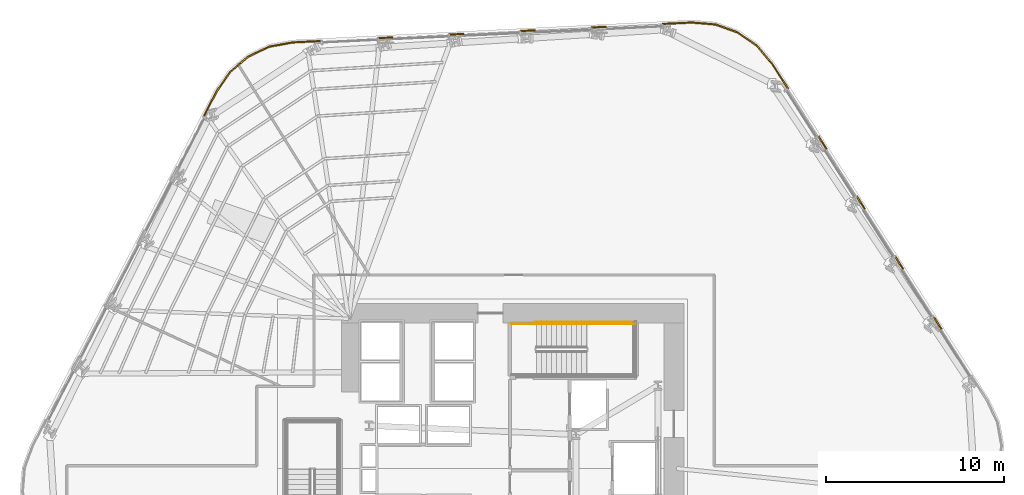
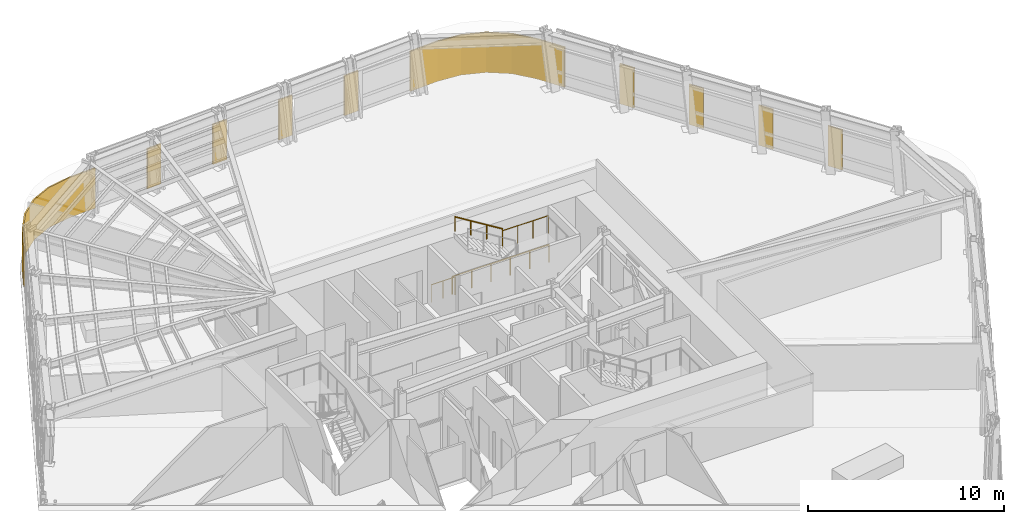
# One storey, part 14 of 15: 10 coverings, 4 railings.
"""IFC4 building model written with IfcOpenShell, lengths in metres."""

from ifc_helpers import new_model, si_unit, direction, frame, origin, origin_2d, place, context, subcontext, project, spatial, polyline, circle, outline, extrude, material, layer, layer_set, type_object, element, save


model = new_model("IFC4")

# Units and contexts
model_context = context("Model", 3, precision=1e-05, world=origin(), true_north=direction((0.0, 1.0)))
body_context = subcontext(model_context, "Body", "Model", "MODEL_VIEW")
ifc_project = project(units=[si_unit("LENGTHUNIT", "METRE"), si_unit("AREAUNIT", "SQUARE_METRE"), si_unit("VOLUMEUNIT", "CUBIC_METRE"), si_unit("PLANEANGLEUNIT", "RADIAN"), si_unit("MASSUNIT", "GRAM", prefix="KILO")], contexts=[model_context])

# Site, building, storey
site_placement = place(None, origin())
site = spatial("IfcSite", under=ifc_project, at=site_placement, CompositionType="ELEMENT")
building_placement = place(site_placement, origin())
building = spatial("IfcBuilding", under=site, at=building_placement, Name="Valkerne Bourse Tower", CompositionType="ELEMENT")
storey_placement = place(building_placement, frame((0.0, 0.0, 35.39990234375)))
storey = spatial("IfcBuildingStorey", under=building, at=storey_placement, Name="L08", CompositionType="ELEMENT", Elevation=35.39990234375)

# Coverings
ifc_material_1 = material(Name="Bronze Anodised Aluminium AA 6063-T6", Category="aluminium")
ifc_layer = layer(ifc_material_1, 0.06005859375)
ifc_layer_set = layer_set([ifc_layer], Name="Bronze Anodised Aluminium AA 6063-T6")
covering_type = type_object("IfcCoveringType", Name="COV-CRN-ALUM", PredefinedType="CLADDING", material=ifc_layer_set)
covering_1_placement = place(storey_placement, origin())
element("IfcCovering", 1, at=covering_1_placement, inside=storey, type_object=covering_type, Name="L08 Wind-Shaped Corner Aluminium Cladding 16", PredefinedType="CLADDING", context=body_context, shape_type="SweptSolid", body=[
    extrude(outline(polyline([(30.166015625, 48.17919921875), (30.929443359375, 49.27783203125), (31.9462890625, 50.13720703125), (33.150634765625, 50.703857421875), (34.467529296875, 50.940673828125), (36.08642578125, 51.021484375), (36.09033203125, 50.941650390625), (34.4765625, 50.861083984375), (33.17529296875, 50.626953125), (31.989990234375, 50.069091796875), (30.9892578125, 49.2236328125), (30.234619140625, 48.137939453125), (29.489501953125, 46.7041015625), (29.41845703125, 46.74072265625), (30.166015625, 48.17919921875)])), origin(), (0.0, 0.0, 1.0), 2.5),
])
covering_2_placement = place(storey_placement, origin())
element("IfcCovering", 2, at=covering_2_placement, inside=storey, type_object=covering_type, Name="L08 Wind-Shaped Corner Aluminium Cladding 17", PredefinedType="CLADDING", context=body_context, shape_type="SweptSolid", body=[
    extrude(outline(polyline([(40.07763671875, 51.220458984375), (40.081298828125, 51.140625), (39.242431640625, 51.098876953125), (39.238525390625, 51.1787109375), (40.07763671875, 51.220458984375)])), origin(), (0.0, 0.0, 1.0), 2.5),
])
covering_3_placement = place(storey_placement, origin())
element("IfcCovering", 3, at=covering_3_placement, inside=storey, type_object=covering_type, Name="L08 Wind-Shaped Corner Aluminium Cladding 18", PredefinedType="CLADDING", context=body_context, shape_type="SweptSolid", body=[
    extrude(outline(polyline([(44.068603515625, 51.41943359375), (44.072509765625, 51.339599609375), (43.2333984375, 51.2978515625), (43.229736328125, 51.377685546875), (44.068603515625, 51.41943359375)])), origin(), (0.0, 0.0, 1.0), 2.5),
])
covering_4_placement = place(storey_placement, origin())
element("IfcCovering", 4, at=covering_4_placement, inside=storey, type_object=covering_type, Name="L08 Wind-Shaped Corner Aluminium Cladding 19", PredefinedType="CLADDING", context=body_context, shape_type="SweptSolid", body=[
    extrude(outline(polyline([(48.059814453125, 51.61865234375), (48.0634765625, 51.538818359375), (47.224609375, 51.496826171875), (47.220703125, 51.57666015625), (48.059814453125, 51.61865234375)])), origin(), (0.0, 0.0, 1.0), 2.5),
])
covering_5_placement = place(storey_placement, origin())
element("IfcCovering", 5, at=covering_5_placement, inside=storey, type_object=covering_type, Name="L08 Wind-Shaped Corner Aluminium Cladding 20", PredefinedType="CLADDING", context=body_context, shape_type="SweptSolid", body=[
    extrude(outline(polyline([(52.05078125, 51.817626953125), (52.054443359375, 51.73779296875), (51.215576171875, 51.69580078125), (51.2119140625, 51.77587890625), (52.05078125, 51.817626953125)])), origin(), (0.0, 0.0, 1.0), 2.5),
])
covering_6_placement = place(storey_placement, origin())
element("IfcCovering", 6, at=covering_6_placement, inside=storey, type_object=covering_type, Name="L08 Wind-Shaped Corner Aluminium Cladding 21", PredefinedType="CLADDING", context=body_context, shape_type="SweptSolid", body=[
    extrude(outline(polyline([(56.857177734375, 52.057373046875), (58.190185546875, 51.9453125), (59.4423828125, 51.494384765625), (60.53564453125, 50.73486328125), (61.39892578125, 49.713134765625), (62.2900390625, 48.31689453125), (62.22265625, 48.273681640625), (61.33447265625, 49.66552734375), (60.481201171875, 50.675048828125), (59.405517578125, 51.4228515625), (58.1728515625, 51.866455078125), (56.855712890625, 51.97705078125), (55.20654296875, 51.89501953125), (55.202880859375, 51.974853515625), (56.857177734375, 52.057373046875)])), origin(), (0.0, 0.0, 1.0), 2.5),
])
covering_7_placement = place(storey_placement, origin())
element("IfcCovering", 7, at=covering_7_placement, inside=storey, type_object=covering_type, Name="L08 Wind-Shaped Corner Aluminium Cladding 22", PredefinedType="CLADDING", context=body_context, shape_type="SweptSolid", body=[
    extrude(outline(polyline([(64.439697265625, 44.9482421875), (64.37255859375, 44.905029296875), (63.920654296875, 45.61328125), (63.98779296875, 45.656494140625), (64.439697265625, 44.9482421875)])), origin(), (0.0, 0.0, 1.0), 2.5),
])
covering_8_placement = place(storey_placement, origin())
element("IfcCovering", 8, at=covering_8_placement, inside=storey, type_object=covering_type, Name="L08 Wind-Shaped Corner Aluminium Cladding 23", PredefinedType="CLADDING", context=body_context, shape_type="SweptSolid", body=[
    extrude(outline(polyline([(66.589599609375, 41.579833984375), (66.522216796875, 41.53662109375), (66.0703125, 42.24462890625), (66.1376953125, 42.287841796875), (66.589599609375, 41.579833984375)])), origin(), (0.0, 0.0, 1.0), 2.5),
])
covering_9_placement = place(storey_placement, origin())
element("IfcCovering", 9, at=covering_9_placement, inside=storey, type_object=covering_type, Name="L08 Wind-Shaped Corner Aluminium Cladding 24", PredefinedType="CLADDING", context=body_context, shape_type="SweptSolid", body=[
    extrude(outline(polyline([(68.7392578125, 38.211181640625), (68.671875, 38.168212890625), (68.219970703125, 38.876220703125), (68.287353515625, 38.91943359375), (68.7392578125, 38.211181640625)])), origin(), (0.0, 0.0, 1.0), 2.5),
])
covering_10_placement = place(storey_placement, origin())
element("IfcCovering", 10, at=covering_10_placement, inside=storey, type_object=covering_type, Name="L08 Wind-Shaped Corner Aluminium Cladding 25", PredefinedType="CLADDING", context=body_context, shape_type="SweptSolid", body=[
    extrude(outline(polyline([(70.888916015625, 34.8427734375), (70.821533203125, 34.799560546875), (70.36962890625, 35.5078125), (70.43701171875, 35.55078125), (70.888916015625, 34.8427734375)])), origin(), (0.0, 0.0, 1.0), 2.5),
])

# Railings
ifc_material_2 = material(Name="Galvanised Painted Steel", Category="steel")
railing_type_1 = type_object("IfcRailingType", Name="RLG-ST-GUARD-1120", PredefinedType="GUARDRAIL", material=ifc_material_2)
railing_1_placement = place(storey_placement, frame((50.949951171875, 35.10009765625, 1.900146484375)))
element("IfcRailing", 11, at=railing_1_placement, inside=storey, type_object=railing_type_1, Name="L08 ST-2 stair guard 4", PredefinedType="GUARDRAIL", context=body_context, shape_type="SweptSolid", body=[
    extrude(circle(Radius=0.02392578125, at=origin_2d()), frame((0.0, 0.0, 1.09619140625), z_axis=(1.0, 0.0, 0.0), x_axis=(0.0, 1.0, 0.0)), (0.0, 0.0, 1.0), 2.699951171875),
    extrude(circle(Radius=0.02099609375, at=origin_2d()), origin(), (0.0, 0.0, 1.0), 1.072021484375),
    extrude(circle(Radius=0.02099609375, at=origin_2d()), frame((0.89990234375, 0.0, 0.0)), (0.0, 0.0, 1.0), 1.072021484375),
    extrude(circle(Radius=0.02099609375, at=origin_2d()), frame((1.800048828125, 0.0, 0.0)), (0.0, 0.0, 1.0), 1.072021484375),
    extrude(circle(Radius=0.02099609375, at=origin_2d()), frame((2.699951171875, 0.0, 0.0)), (0.0, 0.0, 1.0), 1.072021484375),
])
railing_2_placement = place(storey_placement, frame((46.75, 35.10009765625, 0.0)))
element("IfcRailing", 12, at=railing_2_placement, inside=storey, type_object=railing_type_1, Name="L08 ST-2 stair guard 9", PredefinedType="GUARDRAIL", context=body_context, shape_type="SweptSolid", body=[
    extrude(circle(Radius=0.02392578125, at=origin_2d()), frame((0.0, 0.0, 1.09619140625), z_axis=(1.0, 0.0, 0.0), x_axis=(0.0, 1.0, 0.0)), (0.0, 0.0, 1.0), 1.39990234375),
    extrude(circle(Radius=0.02099609375, at=origin_2d()), origin(), (0.0, 0.0, 1.0), 1.072021484375),
    extrude(circle(Radius=0.02099609375, at=origin_2d()), frame((0.699951171875, 0.0, 0.0)), (0.0, 0.0, 1.0), 1.072021484375),
    extrude(circle(Radius=0.02099609375, at=origin_2d()), frame((1.39990234375, 0.0, 0.0)), (0.0, 0.0, 1.0), 1.072021484375),
])
railing_3_placement = place(storey_placement, frame((48.050048828125, 35.199951171875, 0.0)))
element("IfcRailing", 13, at=railing_3_placement, inside=storey, type_object=railing_type_1, Name="L08 ST-2 stair guard 11", PredefinedType="GUARDRAIL", context=body_context, shape_type="SweptSolid", body=[
    extrude(circle(Radius=0.02392578125, at=origin_2d()), frame((0.0, 0.0, 1.09619140625), z_axis=(1.0, 0.0, 0.0), x_axis=(0.0, 1.0, 0.0)), (0.0, 0.0, 1.0), 5.699951171875),
    extrude(circle(Radius=0.02099609375, at=origin_2d()), origin(), (0.0, 0.0, 1.0), 1.072021484375),
    extrude(circle(Radius=0.02099609375, at=origin_2d()), frame((1.139892578125, 0.0, 0.0)), (0.0, 0.0, 1.0), 1.072021484375),
    extrude(circle(Radius=0.02099609375, at=origin_2d()), frame((2.280029296875, 0.0, 0.0)), (0.0, 0.0, 1.0), 1.072021484375),
    extrude(circle(Radius=0.02099609375, at=origin_2d()), frame((3.419921875, 0.0, 0.0)), (0.0, 0.0, 1.0), 1.072021484375),
    extrude(circle(Radius=0.02099609375, at=origin_2d()), frame((4.56005859375, 0.0, 0.0)), (0.0, 0.0, 1.0), 1.072021484375),
    extrude(circle(Radius=0.02099609375, at=origin_2d()), frame((5.699951171875, 0.0, 0.0)), (0.0, 0.0, 1.0), 1.072021484375),
])
ifc_material_3 = material(Name="Stainless Steel AISI 316", Category="steel")
railing_type_2 = type_object("IfcRailingType", Name="RLG-ST-HANDRAIL-900", PredefinedType="HANDRAIL", material=ifc_material_3)
railing_4_placement = place(storey_placement, frame((50.949951171875, 35.10009765625, 2.24560546875)))
element("IfcRailing", 14, at=railing_4_placement, inside=storey, type_object=railing_type_2, Name="L08 ST-2 stair handrail 2", PredefinedType="HANDRAIL", context=body_context, shape_type="SweptSolid", body=[
    extrude(circle(Radius=0.02392578125, at=origin_2d()), frame((0.0, 0.0, 0.8759765625), z_axis=(-0.851089632645, 0.0, 0.525020415988), x_axis=(0.0, -1.0, 0.0)), (0.0, 0.0, 1.0), 3.2900390625),
    extrude(circle(Radius=0.02099609375, at=origin_2d()), origin(), (0.0, 0.0, 1.0), 0.851806640625),
    extrude(circle(Radius=0.02099609375, at=origin_2d()), frame((-0.933349609375, 0.0, 0.57568359375)), (0.0, 0.0, 1.0), 0.851806640625),
    extrude(circle(Radius=0.02099609375, at=origin_2d()), frame((-1.86669921875, 0.0, 1.151611328125)), (0.0, 0.0, 1.0), 0.851806640625),
    extrude(circle(Radius=0.02099609375, at=origin_2d()), frame((-2.800048828125, 0.0, 1.727294921875)), (0.0, 0.0, 1.0), 0.851806640625),
])

save(model, "model.ifc")
